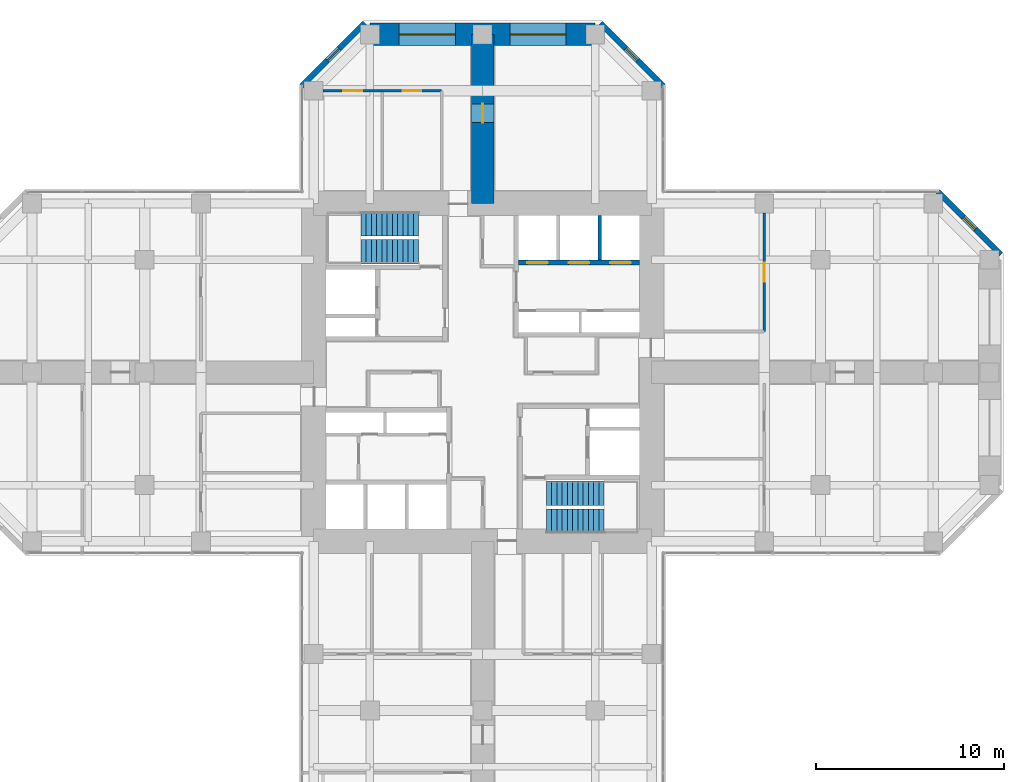
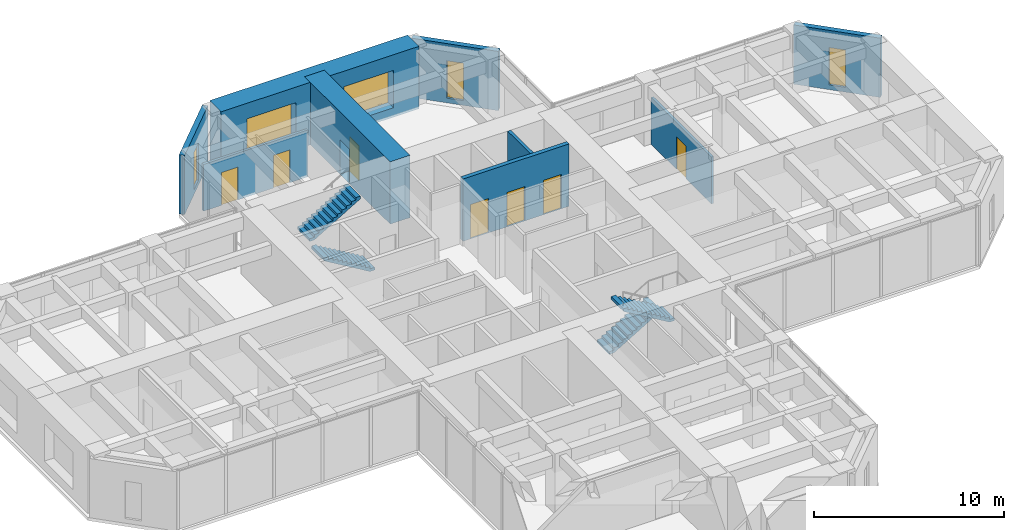
# One storey, part 11 of 12: 9 walls, 7 doors, 5 windows, 4 stair flights, 12 openings, 2 elements without a shape of their own.
"""IFC4 building model written with IfcOpenShell, lengths in metres."""

from ifc_helpers import new_model, si_unit, direction, frame, frame_2d, origin, place, context, subcontext, project, spatial, polyline, rectangle, hollow_rectangle, outline, extrude, material, layer, layer_set, constituent, constituent_set, type_object, element, fill, aggregate, save


model = new_model("IFC4")

# Units and contexts
model_context = context("Model", 3, precision=1e-05, world=origin(), true_north=direction((0.0, 1.0)))
body_context = subcontext(model_context, "Body", "Model", "MODEL_VIEW")
ifc_project = project(units=[si_unit("LENGTHUNIT", "METRE"), si_unit("AREAUNIT", "SQUARE_METRE"), si_unit("VOLUMEUNIT", "CUBIC_METRE"), si_unit("PLANEANGLEUNIT", "RADIAN"), si_unit("MASSUNIT", "GRAM", prefix="KILO")], contexts=[model_context])

# Site, building, storey
site_placement = place(None, origin())
site = spatial("IfcSite", under=ifc_project, at=site_placement, CompositionType="ELEMENT")
building_placement = place(site_placement, origin())
building = spatial("IfcBuilding", under=site, at=building_placement, Name="Torre Cruceta", CompositionType="ELEMENT")
storey_placement = place(building_placement, frame((0.0, 0.0, 140.5)))
storey = spatial("IfcBuildingStorey", under=building, at=storey_placement, Name="L34", CompositionType="ELEMENT", Elevation=140.5)

# Wall, openings, doors
ifc_material_1 = material(Name="Concrete G60 (fck 60 MPa)", Category="concrete")
ifc_layer_1 = layer(ifc_material_1, 0.25)
ifc_layer_set_1 = layer_set([ifc_layer_1], Name="Concrete G60 (fck 60 MPa)")
wall_type_1 = type_object("IfcWallType", Name="CORE INNER WALL 250 G60", PredefinedType="SHEAR", material=ifc_layer_set_1)
wall_1_placement = place(storey_placement, frame((1.925048828125, 5.85009765625, 0.0), z_axis=(0.0, 0.0, 1.0), x_axis=(1.0, 0.0, 0.0)))
wall_1 = element("IfcWall", 1, at=wall_1_placement, inside=storey, type_object=wall_type_1, Name="CW4 L34 NE-LV", PredefinedType="SHEAR", context=body_context, shape_type="SweptSolid", body=[
    extrude(rectangle(XDim=6.425048828125, YDim=0.25, at=frame_2d((3.21240234375, 0.0))), origin(), (0.0, 0.0, 1.0), 4.0),
])
opening_1_placement = place(wall_1_placement, frame((0.4541015625, 0.0, 0.0)))
opening_1 = element("IfcOpeningElement", 2, at=opening_1_placement, cuts=wall_1, Name="Opening LD1", PredefinedType="OPENING", context=body_context, shape_type="SweptSolid", body=[
    extrude(rectangle(XDim=1.10009765625, YDim=2.199951171875, at=frame_2d((0.550048828125, 1.10009765625))), frame((0.0, 0.135009765625, 0.0), z_axis=(0.0, -1.0, 0.0), x_axis=(1.0, 0.0, 0.0)), (0.0, 0.0, 1.0), 0.27001953125),
])
opening_2_placement = place(wall_1_placement, frame((2.66259765625, 0.0, 0.0)))
opening_2 = element("IfcOpeningElement", 3, at=opening_2_placement, cuts=wall_1, Name="Opening LD1", PredefinedType="OPENING", context=body_context, shape_type="SweptSolid", body=[
    extrude(rectangle(XDim=1.10009765625, YDim=2.199951171875, at=frame_2d((0.550048828125, 1.10009765625))), frame((0.0, 0.135009765625, 0.0), z_axis=(0.0, -1.0, 0.0), x_axis=(1.0, 0.0, 0.0)), (0.0, 0.0, 1.0), 0.27001953125),
])
opening_3_placement = place(wall_1_placement, frame((4.870849609375, 0.0, 0.0)))
opening_3 = element("IfcOpeningElement", 4, at=opening_3_placement, cuts=wall_1, Name="Opening LD1", PredefinedType="OPENING", context=body_context, shape_type="SweptSolid", body=[
    extrude(rectangle(XDim=1.10009765625, YDim=2.199951171875, at=frame_2d((0.550048828125, 1.10009765625))), frame((0.0, 0.135009765625, 0.0), z_axis=(0.0, -1.0, 0.0), x_axis=(1.0, 0.0, 0.0)), (0.0, 0.0, 1.0), 0.27001953125),
])
ifc_material_2 = material(Name="Stainless steel 1.4401", Category="steel")
door_type_1 = type_object("IfcDoorType", Name="LIFT LANDING DOOR 1100X2200", OperationType="DOUBLE_DOOR_SLIDING", PredefinedType="DOOR", material=ifc_material_2)
door_1_placement = place(opening_1_placement, origin())
door_1 = element("IfcDoor", 5, at=door_1_placement, inside=storey, type_object=door_type_1, Name="Lift landing door P1", OperationType="DOUBLE_DOOR_SLIDING", OverallHeight=2.199951171875, OverallWidth=1.10009765625, PredefinedType="DOOR", context=body_context, shape_type="SweptSolid", body=[
    extrude(rectangle(XDim=1.10009765625, YDim=2.199951171875, at=frame_2d((0.550048828125, 1.10009765625))), frame((0.0, 0.02490234375, 0.0), z_axis=(0.0, -1.0, 0.0), x_axis=(1.0, 0.0, 0.0)), (0.0, 0.0, 1.0), 0.050048828125),
])
fill(opening_1, door_1)
door_2_placement = place(opening_2_placement, origin())
door_2 = element("IfcDoor", 6, at=door_2_placement, inside=storey, type_object=door_type_1, Name="Lift landing door P2", OperationType="DOUBLE_DOOR_SLIDING", OverallHeight=2.199951171875, OverallWidth=1.10009765625, PredefinedType="DOOR", context=body_context, shape_type="SweptSolid", body=[
    extrude(rectangle(XDim=1.10009765625, YDim=2.199951171875, at=frame_2d((0.550048828125, 1.10009765625))), frame((0.0, 0.02490234375, 0.0), z_axis=(0.0, -1.0, 0.0), x_axis=(1.0, 0.0, 0.0)), (0.0, 0.0, 1.0), 0.050048828125),
])
fill(opening_2, door_2)
door_3_placement = place(opening_3_placement, origin())
door_3 = element("IfcDoor", 7, at=door_3_placement, inside=storey, type_object=door_type_1, Name="Lift landing door P3", OperationType="DOUBLE_DOOR_SLIDING", OverallHeight=2.199951171875, OverallWidth=1.10009765625, PredefinedType="DOOR", context=body_context, shape_type="SweptSolid", body=[
    extrude(rectangle(XDim=1.10009765625, YDim=2.199951171875, at=frame_2d((0.550048828125, 1.10009765625))), frame((0.0, 0.02490234375, 0.0), z_axis=(0.0, -1.0, 0.0), x_axis=(1.0, 0.0, 0.0)), (0.0, 0.0, 1.0), 0.050048828125),
])
fill(opening_3, door_3)

# Wall, opening, window
ifc_material_3 = material(Name="Concrete G30 (fck 30 MPa)", Category="concrete")
ifc_layer_2 = layer(ifc_material_3, 0.300048828125)
ifc_layer_set_2 = layer_set([ifc_layer_2], Name="Concrete G30 (fck 30 MPa)")
wall_type_2 = type_object("IfcWallType", Name="EXPOSED CONCRETE FACADE WALL 300", PredefinedType="SOLIDWALL", material=ifc_layer_set_2)
wall_2_placement = place(storey_placement, frame((27.60009765625, 6.27685546875, 0.0), z_axis=(0.0, 0.0, 1.0), x_axis=(-0.707106781187, 0.707106781187, 0.0)))
wall_2 = element("IfcWall", 8, at=wall_2_placement, inside=storey, type_object=wall_type_2, Name="EW1 facade wall L34 E chamfer 03", PredefinedType="SOLIDWALL", context=body_context, shape_type="SweptSolid", body=[
    extrude(rectangle(XDim=4.72802734375, YDim=0.300048828125, at=frame_2d((2.364013671875, 0.0))), origin(), (0.0, 0.0, 1.0), 3.800048828125),
])
opening_4_placement = place(wall_2_placement, frame((1.9140625, 0.0, 0.300048828125)))
opening_4 = element("IfcOpeningElement", 9, at=opening_4_placement, cuts=wall_2, Name="Opening WN5", PredefinedType="OPENING", context=body_context, shape_type="SweptSolid", body=[
    extrude(rectangle(XDim=0.89990234375, YDim=2.39990234375, at=frame_2d((0.449951171875, 1.199951171875))), frame((0.0, 0.159912109375, 0.0), z_axis=(0.0, -1.0, 0.0), x_axis=(1.0, 0.0, 0.0)), (0.0, 0.0, 1.0), 0.320068359375),
])
ifc_material_4 = material(Name="Aluminium window frame", Category="aluminium")
ifc_constituent_1 = constituent(ifc_material_4, Name="Frame")
ifc_material_5 = material(Name="Laminated insulating glass unit, low-iron clear", Category="glass")
ifc_constituent_2 = constituent(ifc_material_5, Name="Glazing")
ifc_constituent_set_1 = constituent_set(constituents=[ifc_constituent_1, ifc_constituent_2], Name="Aluminium window")
window_type_1 = type_object("IfcWindowType", Name="CHAMFER SLOT WINDOW 900X2400", PartitioningType="SINGLE_PANEL", PredefinedType="WINDOW", material=ifc_constituent_set_1)
window_1_placement = place(opening_4_placement, origin())
window_1 = element("IfcWindow", 10, at=window_1_placement, inside=storey, type_object=window_type_1, Name="WN5 L34 E 1", OverallHeight=2.39990234375, OverallWidth=0.89990234375, PartitioningType="SINGLE_PANEL", PredefinedType="WINDOW", context=body_context, shape_type="SweptSolid", body=[
    extrude(hollow_rectangle(XDim=0.89990234375, YDim=2.39990234375, WallThickness=0.06005859375, at=frame_2d((0.449951171875, 1.199951171875))), frame((0.0, 0.030029296875, 0.0), z_axis=(0.0, -1.0, 0.0), x_axis=(1.0, 0.0, 0.0)), (0.0, 0.0, 1.0), 0.06005859375),
    extrude(rectangle(XDim=0.77880859375, YDim=2.27880859375, at=frame_2d((0.449951171875, 1.199951171875))), frame((0.0, 0.030029296875, 0.0), z_axis=(0.0, -1.0, 0.0), x_axis=(1.0, 0.0, 0.0)), (0.0, 0.0, 1.0), 0.06005859375),
])
fill(opening_4, window_1)

wall_3_placement = place(storey_placement, frame((9.6201171875, 15.2568359375, 0.0), z_axis=(0.0, 0.0, 1.0), x_axis=(-0.707106781187, 0.707106781187, 0.0)))
wall_3 = element("IfcWall", 11, at=wall_3_placement, inside=storey, type_object=wall_type_2, Name="EW1 facade wall L34 N chamfer 06", PredefinedType="SOLIDWALL", context=body_context, shape_type="SweptSolid", body=[
    extrude(rectangle(XDim=4.72802734375, YDim=0.300048828125, at=frame_2d((2.364013671875, 0.0))), origin(), (0.0, 0.0, 1.0), 3.800048828125),
])
opening_5_placement = place(wall_3_placement, frame((1.9140625, 0.0, 0.300048828125)))
opening_5 = element("IfcOpeningElement", 12, at=opening_5_placement, cuts=wall_3, Name="Opening WN5", PredefinedType="OPENING", context=body_context, shape_type="SweptSolid", body=[
    extrude(rectangle(XDim=0.89990234375, YDim=2.39990234375, at=frame_2d((0.449951171875, 1.199951171875))), frame((0.0, 0.159912109375, 0.0), z_axis=(0.0, -1.0, 0.0), x_axis=(1.0, 0.0, 0.0)), (0.0, 0.0, 1.0), 0.320068359375),
])
window_2_placement = place(opening_5_placement, origin())
window_2 = element("IfcWindow", 13, at=window_2_placement, inside=storey, type_object=window_type_1, Name="WN5 L34 N 1", OverallHeight=2.39990234375, OverallWidth=0.89990234375, PartitioningType="SINGLE_PANEL", PredefinedType="WINDOW", context=body_context, shape_type="SweptSolid", body=[
    extrude(hollow_rectangle(XDim=0.89990234375, YDim=2.39990234375, WallThickness=0.06005859375, at=frame_2d((0.449951171875, 1.199951171875))), frame((0.0, 0.030029296875, 0.0), z_axis=(0.0, -1.0, 0.0), x_axis=(1.0, 0.0, 0.0)), (0.0, 0.0, 1.0), 0.06005859375),
    extrude(rectangle(XDim=0.77880859375, YDim=2.27880859375, at=frame_2d((0.449951171875, 1.199951171875))), frame((0.0, 0.030029296875, 0.0), z_axis=(0.0, -1.0, 0.0), x_axis=(1.0, 0.0, 0.0)), (0.0, 0.0, 1.0), 0.06005859375),
])
fill(opening_5, window_2)

wall_4_placement = place(storey_placement, frame((-6.27685546875, 18.60009765625, 0.0), z_axis=(0.0, 0.0, 1.0), x_axis=(-0.707106781187, -0.707106781187, 0.0)))
wall_4 = element("IfcWall", 14, at=wall_4_placement, inside=storey, type_object=wall_type_2, Name="EW1 facade wall L34 N chamfer 08", PredefinedType="SOLIDWALL", context=body_context, shape_type="SweptSolid", body=[
    extrude(rectangle(XDim=4.72802734375, YDim=0.300048828125, at=frame_2d((2.364013671875, 0.0))), origin(), (0.0, 0.0, 1.0), 3.800048828125),
])
opening_6_placement = place(wall_4_placement, frame((1.9140625, 0.0, 0.300048828125)))
opening_6 = element("IfcOpeningElement", 15, at=opening_6_placement, cuts=wall_4, Name="Opening WN5", PredefinedType="OPENING", context=body_context, shape_type="SweptSolid", body=[
    extrude(rectangle(XDim=0.89990234375, YDim=2.39990234375, at=frame_2d((0.449951171875, 1.199951171875))), frame((0.0, 0.159912109375, 0.0), z_axis=(0.0, -1.0, 0.0), x_axis=(1.0, 0.0, 0.0)), (0.0, 0.0, 1.0), 0.320068359375),
])
window_3_placement = place(opening_6_placement, origin())
window_3 = element("IfcWindow", 16, at=window_3_placement, inside=storey, type_object=window_type_1, Name="WN5 L34 N 1", OverallHeight=2.39990234375, OverallWidth=0.89990234375, PartitioningType="SINGLE_PANEL", PredefinedType="WINDOW", context=body_context, shape_type="SweptSolid", body=[
    extrude(hollow_rectangle(XDim=0.89990234375, YDim=2.39990234375, WallThickness=0.06005859375, at=frame_2d((0.449951171875, 1.199951171875))), frame((0.0, 0.030029296875, 0.0), z_axis=(0.0, -1.0, 0.0), x_axis=(1.0, 0.0, 0.0)), (0.0, 0.0, 1.0), 0.06005859375),
    extrude(rectangle(XDim=0.77880859375, YDim=2.27880859375, at=frame_2d((0.449951171875, 1.199951171875))), frame((0.0, 0.030029296875, 0.0), z_axis=(0.0, -1.0, 0.0), x_axis=(1.0, 0.0, 0.0)), (0.0, 0.0, 1.0), 0.06005859375),
])
fill(opening_6, window_3)

# Wall
ifc_material_6 = material(Name="Concrete G35 (fck 35 MPa)", Category="concrete")
ifc_layer_3 = layer(ifc_material_6, 0.199951171875)
ifc_layer_set_3 = layer_set([ifc_layer_3], Name="Concrete G35 (fck 35 MPa)")
wall_type_3 = type_object("IfcWallType", Name="LIFT SHAFT WALL 200", PredefinedType="PARTITIONING", material=ifc_layer_set_3)
wall_5_placement = place(storey_placement, frame((6.24169921875, 5.97509765625, 0.0), z_axis=(0.0, 0.0, 1.0), x_axis=(0.0, 1.0, 0.0)))
element("IfcWall", 17, at=wall_5_placement, inside=storey, type_object=wall_type_3, Name="SW1 L34 NE-LS2", PredefinedType="PARTITIONING", context=body_context, shape_type="SweptSolid", body=[
    extrude(rectangle(XDim=2.375, YDim=0.199951171875, at=frame_2d((1.1875, 0.0))), origin(), (0.0, 0.0, 1.0), 4.0),
])

# Wall, openings, windows
ifc_material_7 = material(Name="Concrete G60 (fck 60 MPa)", Category="concrete")
ifc_layer_4 = layer(ifc_material_7, 1.199951171875)
ifc_layer_set_4 = layer_set([ifc_layer_4], Name="Concrete G60 (fck 60 MPa)")
wall_type_4 = type_object("IfcWallType", Name="NOSE WALL 1200 G60", PredefinedType="SHEAR", material=ifc_layer_set_4)
wall_6_placement = place(storey_placement, frame((6.0, 18.0, 0.0), z_axis=(0.0, 0.0, 1.0), x_axis=(-1.0, 0.0, 0.0)))
wall_6 = element("IfcWall", 18, at=wall_6_placement, inside=storey, type_object=wall_type_4, Name="NW1 nose wall L34 N", PredefinedType="SHEAR", context=body_context, shape_type="SweptSolid", body=[
    extrude(rectangle(XDim=12.0, YDim=1.199951171875, at=frame_2d((6.0, 0.0))), origin(), (0.0, 0.0, 1.0), 4.0),
])
opening_7_placement = place(wall_6_placement, frame((1.550048828125, 0.0, 0.60009765625)))
opening_7 = element("IfcOpeningElement", 19, at=opening_7_placement, cuts=wall_6, Name="Opening WN6", PredefinedType="OPENING", context=body_context, shape_type="SweptSolid", body=[
    extrude(rectangle(XDim=3.0, YDim=2.39990234375, at=frame_2d((1.5, 1.199951171875))), frame((0.0, 0.60986328125, 0.0), z_axis=(0.0, -1.0, 0.0), x_axis=(1.0, 0.0, 0.0)), (0.0, 0.0, 1.0), 1.219970703125),
])
opening_8_placement = place(wall_6_placement, frame((7.449951171875, 0.0, 0.60009765625)))
opening_8 = element("IfcOpeningElement", 20, at=opening_8_placement, cuts=wall_6, Name="Opening WN6", PredefinedType="OPENING", context=body_context, shape_type="SweptSolid", body=[
    extrude(rectangle(XDim=3.0, YDim=2.39990234375, at=frame_2d((1.5, 1.199951171875))), frame((0.0, 0.60986328125, 0.0), z_axis=(0.0, -1.0, 0.0), x_axis=(1.0, 0.0, 0.0)), (0.0, 0.0, 1.0), 1.219970703125),
])
ifc_material_8 = material(Name="Aluminium window frame", Category="aluminium")
ifc_constituent_3 = constituent(ifc_material_8, Name="Frame")
ifc_material_9 = material(Name="Laminated insulating glass unit, low-iron clear", Category="glass")
ifc_constituent_4 = constituent(ifc_material_9, Name="Glazing")
ifc_constituent_set_2 = constituent_set(constituents=[ifc_constituent_3, ifc_constituent_4], Name="Aluminium window")
window_type_2 = type_object("IfcWindowType", Name="NOSE WALL WINDOW 3000X2400", PartitioningType="SINGLE_PANEL", PredefinedType="WINDOW", material=ifc_constituent_set_2)
window_4_placement = place(opening_7_placement, origin())
window_4 = element("IfcWindow", 21, at=window_4_placement, inside=storey, type_object=window_type_2, Name="WN6 L34 N 1", OverallHeight=2.39990234375, OverallWidth=3.0, PartitioningType="SINGLE_PANEL", PredefinedType="WINDOW", context=body_context, shape_type="SweptSolid", body=[
    extrude(hollow_rectangle(XDim=3.0, YDim=2.39990234375, WallThickness=0.06005859375, at=frame_2d((1.5, 1.199951171875))), frame((0.0, 0.030029296875, 0.0), z_axis=(0.0, -1.0, 0.0), x_axis=(1.0, 0.0, 0.0)), (0.0, 0.0, 1.0), 0.06005859375),
    extrude(rectangle(XDim=2.87890625, YDim=2.27880859375, at=frame_2d((1.5, 1.199951171875))), frame((0.0, 0.030029296875, 0.0), z_axis=(0.0, -1.0, 0.0), x_axis=(1.0, 0.0, 0.0)), (0.0, 0.0, 1.0), 0.06005859375),
])
fill(opening_7, window_4)
window_5_placement = place(opening_8_placement, origin())
window_5 = element("IfcWindow", 22, at=window_5_placement, inside=storey, type_object=window_type_2, Name="WN6 L34 N 2", OverallHeight=2.39990234375, OverallWidth=3.0, PartitioningType="SINGLE_PANEL", PredefinedType="WINDOW", context=body_context, shape_type="SweptSolid", body=[
    extrude(hollow_rectangle(XDim=3.0, YDim=2.39990234375, WallThickness=0.06005859375, at=frame_2d((1.5, 1.199951171875))), frame((0.0, 0.030029296875, 0.0), z_axis=(0.0, -1.0, 0.0), x_axis=(1.0, 0.0, 0.0)), (0.0, 0.0, 1.0), 0.06005859375),
    extrude(rectangle(XDim=2.87890625, YDim=2.27880859375, at=frame_2d((1.5, 1.199951171875))), frame((0.0, 0.030029296875, 0.0), z_axis=(0.0, -1.0, 0.0), x_axis=(1.0, 0.0, 0.0)), (0.0, 0.0, 1.0), 0.06005859375),
])
fill(opening_8, window_5)

# Wall, openings, doors
ifc_material_10 = material(Name="Plasterboard on steel studs", Category="steel")
ifc_layer_5 = layer(ifc_material_10, 0.14990234375)
ifc_layer_set_5 = layer_set([ifc_layer_5], Name="Plasterboard on steel studs")
wall_type_5 = type_object("IfcWallType", Name="PARTITION 150", PredefinedType="PARTITIONING", material=ifc_layer_set_5)
wall_7_placement = place(storey_placement, frame((-2.175048828125, 15.0, 0.0), z_axis=(0.0, 0.0, 1.0), x_axis=(-1.0, 0.0, 0.0)))
wall_7 = element("IfcWall", 23, at=wall_7_placement, inside=storey, type_object=wall_type_5, Name="PT1 L34-N-BFL", PredefinedType="PARTITIONING", context=body_context, shape_type="SweptSolid", body=[
    extrude(rectangle(XDim=6.324951171875, YDim=0.14990234375, at=frame_2d((3.16259765625, 0.0))), origin(), (0.0, 0.0, 1.0), 3.0),
])
opening_9_placement = place(wall_7_placement, frame((1.081298828125, 0.0, 0.0)))
opening_9 = element("IfcOpeningElement", 24, at=opening_9_placement, cuts=wall_7, Name="Opening D3", PredefinedType="OPENING", context=body_context, shape_type="SweptSolid", body=[
    extrude(rectangle(XDim=1.0, YDim=2.10009765625, at=frame_2d((0.5, 1.050048828125))), frame((0.0, 0.0849609375, 0.0), z_axis=(0.0, -1.0, 0.0), x_axis=(1.0, 0.0, 0.0)), (0.0, 0.0, 1.0), 0.169921875),
])
opening_10_placement = place(wall_7_placement, frame((4.243896484375, 0.0, 0.0)))
opening_10 = element("IfcOpeningElement", 25, at=opening_10_placement, cuts=wall_7, Name="Opening D3", PredefinedType="OPENING", context=body_context, shape_type="SweptSolid", body=[
    extrude(rectangle(XDim=1.0, YDim=2.10009765625, at=frame_2d((0.5, 1.050048828125))), frame((0.0, 0.0849609375, 0.0), z_axis=(0.0, -1.0, 0.0), x_axis=(1.0, 0.0, 0.0)), (0.0, 0.0, 1.0), 0.169921875),
])
ifc_material_11 = material(Name="Steel DX51D", Category="steel")
ifc_constituent_5 = constituent(ifc_material_11, Name="Leaf and frame")
ifc_material_12 = material(Name="Polyester powder coating", Category="paint")
ifc_constituent_6 = constituent(ifc_material_12, Name="Finish")
ifc_constituent_set_3 = constituent_set(constituents=[ifc_constituent_5, ifc_constituent_6], Name="Steel fire door")
door_type_2 = type_object("IfcDoorType", Name="FIRE DOOR 1000X2100", OperationType="SINGLE_SWING_LEFT", PredefinedType="DOOR", material=ifc_constituent_set_3)
door_4_placement = place(opening_9_placement, origin())
door_4 = element("IfcDoor", 26, at=door_4_placement, inside=storey, type_object=door_type_2, Name="D3 L34-N-BFL-D1", OperationType="SINGLE_SWING_LEFT", OverallHeight=2.10009765625, OverallWidth=1.0, PredefinedType="DOOR", context=body_context, shape_type="SweptSolid", body=[
    extrude(rectangle(XDim=1.0, YDim=2.10009765625, at=frame_2d((0.5, 1.050048828125))), frame((0.0, 0.02490234375, 0.0), z_axis=(0.0, -1.0, 0.0), x_axis=(1.0, 0.0, 0.0)), (0.0, 0.0, 1.0), 0.050048828125),
])
fill(opening_9, door_4)
door_5_placement = place(opening_10_placement, origin())
door_5 = element("IfcDoor", 27, at=door_5_placement, inside=storey, type_object=door_type_2, Name="D3 L34-N-BFL-D2", OperationType="SINGLE_SWING_LEFT", OverallHeight=2.10009765625, OverallWidth=1.0, PredefinedType="DOOR", context=body_context, shape_type="SweptSolid", body=[
    extrude(rectangle(XDim=1.0, YDim=2.10009765625, at=frame_2d((0.5, 1.050048828125))), frame((0.0, 0.02490234375, 0.0), z_axis=(0.0, -1.0, 0.0), x_axis=(1.0, 0.0, 0.0)), (0.0, 0.0, 1.0), 0.050048828125),
])
fill(opening_10, door_5)

# Wall, opening, door
wall_8_placement = place(storey_placement, frame((15.0, 2.175048828125, 0.0), z_axis=(0.0, 0.0, 1.0), x_axis=(0.0, 1.0, 0.0)))
wall_8 = element("IfcWall", 28, at=wall_8_placement, inside=storey, type_object=wall_type_5, Name="PT1 L34-E-BFL", PredefinedType="PARTITIONING", context=body_context, shape_type="SweptSolid", body=[
    extrude(rectangle(XDim=6.324951171875, YDim=0.14990234375, at=frame_2d((3.16259765625, 0.0))), origin(), (0.0, 0.0, 1.0), 3.0),
])
opening_11_placement = place(wall_8_placement, frame((2.66259765625, 0.0, 0.0)))
opening_11 = element("IfcOpeningElement", 29, at=opening_11_placement, cuts=wall_8, Name="Opening D3", PredefinedType="OPENING", context=body_context, shape_type="SweptSolid", body=[
    extrude(rectangle(XDim=1.0, YDim=2.10009765625, at=frame_2d((0.5, 1.050048828125))), frame((0.0, 0.0849609375, 0.0), z_axis=(0.0, -1.0, 0.0), x_axis=(1.0, 0.0, 0.0)), (0.0, 0.0, 1.0), 0.169921875),
])
door_6_placement = place(opening_11_placement, origin())
door_6 = element("IfcDoor", 30, at=door_6_placement, inside=storey, type_object=door_type_2, Name="D3 L34-E-BFL-D1", OperationType="SINGLE_SWING_LEFT", OverallHeight=2.10009765625, OverallWidth=1.0, PredefinedType="DOOR", context=body_context, shape_type="SweptSolid", body=[
    extrude(rectangle(XDim=1.0, YDim=2.10009765625, at=frame_2d((0.5, 1.050048828125))), frame((0.0, 0.02490234375, 0.0), z_axis=(0.0, -1.0, 0.0), x_axis=(1.0, 0.0, 0.0)), (0.0, 0.0, 1.0), 0.050048828125),
])
fill(opening_11, door_6)

ifc_material_13 = material(Name="Concrete G60 (fck 60 MPa)", Category="concrete")
ifc_layer_6 = layer(ifc_material_13, 1.199951171875)
ifc_layer_set_6 = layer_set([ifc_layer_6], Name="Concrete G60 (fck 60 MPa)")
wall_type_6 = type_object("IfcWallType", Name="SPINE WALL 1200 G60", PredefinedType="SHEAR", material=ifc_layer_set_6)
wall_9_placement = place(storey_placement, frame((0.0, 9.0, 0.0), z_axis=(0.0, 0.0, 1.0), x_axis=(0.0, 1.0, 0.0)))
wall_9 = element("IfcWall", 31, at=wall_9_placement, inside=storey, type_object=wall_type_6, Name="SW3 spine wall L34 N", PredefinedType="SHEAR", context=body_context, shape_type="SweptSolid", body=[
    extrude(rectangle(XDim=9.0, YDim=1.199951171875, at=frame_2d((4.5, 0.0))), origin(), (0.0, 0.0, 1.0), 4.0),
])
opening_12_placement = place(wall_9_placement, frame((4.300048828125, 0.0, 0.0)))
opening_12 = element("IfcOpeningElement", 32, at=opening_12_placement, cuts=wall_9, Name="Opening D14", PredefinedType="OPENING", context=body_context, shape_type="SweptSolid", body=[
    extrude(rectangle(XDim=1.0, YDim=2.199951171875, at=frame_2d((0.5, 1.10009765625))), frame((0.0, 0.60986328125, 0.0), z_axis=(0.0, -1.0, 0.0), x_axis=(1.0, 0.0, 0.0)), (0.0, 0.0, 1.0), 1.219970703125),
])
ifc_material_14 = material(Name="Steel DX51D", Category="steel")
ifc_constituent_7 = constituent(ifc_material_14, Name="Leaf and frame")
ifc_material_15 = material(Name="Polyester powder coating", Category="paint")
ifc_constituent_8 = constituent(ifc_material_15, Name="Finish")
ifc_material_16 = material(Name="Fire-resisting glass", Category="glass")
ifc_constituent_9 = constituent(ifc_material_16, Name="Vision panel")
ifc_constituent_set_4 = constituent_set(constituents=[ifc_constituent_7, ifc_constituent_8, ifc_constituent_9], Name="Steel fire door with vision panel")
door_type_3 = type_object("IfcDoorType", Name="FIRE DOOR VISION PANEL 1000X2200", OperationType="SINGLE_SWING_RIGHT", PredefinedType="DOOR", material=ifc_constituent_set_4)
door_7_placement = place(opening_12_placement, origin())
door_7 = element("IfcDoor", 33, at=door_7_placement, inside=storey, type_object=door_type_3, Name="D14 L34-N-SP1", OperationType="SINGLE_SWING_RIGHT", OverallHeight=2.199951171875, OverallWidth=1.0, PredefinedType="DOOR", context=body_context, shape_type="SweptSolid", body=[
    extrude(rectangle(XDim=1.0, YDim=2.199951171875, at=frame_2d((0.5, 1.10009765625))), frame((0.0, 0.02490234375, 0.0), z_axis=(0.0, -1.0, 0.0), x_axis=(1.0, 0.0, 0.0)), (0.0, 0.0, 1.0), 0.050048828125),
])
fill(opening_12, door_7)

# Stair, stair flights
ifc_material_17 = material(Name="Concrete G30 (fck 30 MPa)", Category="concrete")
stair_type = type_object("IfcStairType", Name="STAIR HALF-TURN 1300", PredefinedType="HALF_TURN_STAIR", material=ifc_material_17)
stair_1_placement = place(storey_placement, origin())
stair_1 = element("IfcStair", 34, at=stair_1_placement, inside=storey, type_object=stair_type, Name="Stair ST1 L34", PredefinedType="HALF_TURN_STAIR")
ifc_material_18 = material(Name="Concrete G30 (fck 30 MPa)", Category="concrete")
stair_flight_type = type_object("IfcStairFlightType", Name="STAIR FLIGHT 1300", PredefinedType="STRAIGHT", material=ifc_material_18)
stair_flight_1_placement = place(storey_placement, frame((-3.39990234375, 6.425048828125, 0.0), z_axis=(0.0, 0.0, 1.0), x_axis=(-1.0, 0.0, 0.0)))
stair_flight_1 = element("IfcStairFlight", 35, at=stair_flight_1_placement, type_object=stair_flight_type, Name="ST1 flight 1", NumberOfRisers=12, NumberOfTreads=11, PredefinedType="STRAIGHT", RiserHeight=0.166666667, TreadLength=0.28, context=body_context, shape_type="SweptSolid", body=[
    extrude(outline(polyline([(0.0, 0.0), (0.0, 0.166748046875), (0.280029296875, 0.166748046875), (0.280029296875, 0.333251953125), (0.56005859375, 0.333251953125), (0.56005859375, 0.5), (0.840087890625, 0.5), (0.840087890625, 0.666748046875), (1.1201171875, 0.666748046875), (1.1201171875, 0.833251953125), (1.39990234375, 0.833251953125), (1.39990234375, 1.0), (1.679931640625, 1.0), (1.679931640625, 1.166748046875), (1.9599609375, 1.166748046875), (1.9599609375, 1.333251953125), (2.239990234375, 1.333251953125), (2.239990234375, 1.5), (2.52001953125, 1.5), (2.52001953125, 1.666748046875), (2.800048828125, 1.666748046875), (2.800048828125, 1.833251953125), (3.080078125, 1.833251953125), (3.080078125, 2.0), (3.080078125, 1.658935546875), (0.29296875, 0.0), (0.0, 0.0)])), frame((0.0, 0.64990234375, 0.0), z_axis=(0.0, -1.0, 0.0), x_axis=(1.0, 0.0, 0.0)), (0.0, 0.0, 1.0), 1.300048828125),
])
stair_flight_2_placement = place(storey_placement, frame((-6.47998046875, 7.925048828125, 2.0), z_axis=(0.0, 0.0, 1.0), x_axis=(1.0, 0.0, 0.0)))
stair_flight_2 = element("IfcStairFlight", 36, at=stair_flight_2_placement, type_object=stair_flight_type, Name="ST1 flight 2", NumberOfRisers=12, NumberOfTreads=11, PredefinedType="STRAIGHT", RiserHeight=0.166666667, TreadLength=0.28, context=body_context, shape_type="SweptSolid", body=[
    extrude(outline(polyline([(0.0, 0.0), (0.0, 0.166748046875), (0.280029296875, 0.166748046875), (0.280029296875, 0.333251953125), (0.56005859375, 0.333251953125), (0.56005859375, 0.5), (0.840087890625, 0.5), (0.840087890625, 0.666748046875), (1.1201171875, 0.666748046875), (1.1201171875, 0.833251953125), (1.39990234375, 0.833251953125), (1.39990234375, 1.0), (1.679931640625, 1.0), (1.679931640625, 1.166748046875), (1.9599609375, 1.166748046875), (1.9599609375, 1.333251953125), (2.239990234375, 1.333251953125), (2.239990234375, 1.5), (2.52001953125, 1.5), (2.52001953125, 1.666748046875), (2.800048828125, 1.666748046875), (2.800048828125, 1.833251953125), (3.080078125, 1.833251953125), (3.080078125, 2.0), (3.080078125, 1.658935546875), (0.29296875, 0.0), (0.0, 0.0)])), frame((0.0, 0.64990234375, 0.0), z_axis=(0.0, -1.0, 0.0), x_axis=(1.0, 0.0, 0.0)), (0.0, 0.0, 1.0), 1.300048828125),
])
aggregate(stair_1, [stair_flight_1, stair_flight_2])

stair_2_placement = place(storey_placement, origin())
stair_2 = element("IfcStair", 37, at=stair_2_placement, inside=storey, type_object=stair_type, Name="Stair ST2 L34", PredefinedType="HALF_TURN_STAIR")
stair_flight_3_placement = place(storey_placement, frame((3.39990234375, -6.425048828125, 0.0), z_axis=(0.0, 0.0, 1.0), x_axis=(1.0, 0.0, 0.0)))
stair_flight_3 = element("IfcStairFlight", 38, at=stair_flight_3_placement, type_object=stair_flight_type, Name="ST2 flight 1", NumberOfRisers=12, NumberOfTreads=11, PredefinedType="STRAIGHT", RiserHeight=0.166666667, TreadLength=0.28, context=body_context, shape_type="SweptSolid", body=[
    extrude(outline(polyline([(0.0, 0.0), (0.0, 0.166748046875), (0.280029296875, 0.166748046875), (0.280029296875, 0.333251953125), (0.56005859375, 0.333251953125), (0.56005859375, 0.5), (0.840087890625, 0.5), (0.840087890625, 0.666748046875), (1.1201171875, 0.666748046875), (1.1201171875, 0.833251953125), (1.39990234375, 0.833251953125), (1.39990234375, 1.0), (1.679931640625, 1.0), (1.679931640625, 1.166748046875), (1.9599609375, 1.166748046875), (1.9599609375, 1.333251953125), (2.239990234375, 1.333251953125), (2.239990234375, 1.5), (2.52001953125, 1.5), (2.52001953125, 1.666748046875), (2.800048828125, 1.666748046875), (2.800048828125, 1.833251953125), (3.080078125, 1.833251953125), (3.080078125, 2.0), (3.080078125, 1.658935546875), (0.29296875, 0.0), (0.0, 0.0)])), frame((0.0, 0.64990234375, 0.0), z_axis=(0.0, -1.0, 0.0), x_axis=(1.0, 0.0, 0.0)), (0.0, 0.0, 1.0), 1.300048828125),
])
stair_flight_4_placement = place(storey_placement, frame((6.47998046875, -7.925048828125, 2.0), z_axis=(0.0, 0.0, 1.0), x_axis=(-1.0, 0.0, 0.0)))
stair_flight_4 = element("IfcStairFlight", 39, at=stair_flight_4_placement, type_object=stair_flight_type, Name="ST2 flight 2", NumberOfRisers=12, NumberOfTreads=11, PredefinedType="STRAIGHT", RiserHeight=0.166666667, TreadLength=0.28, context=body_context, shape_type="SweptSolid", body=[
    extrude(outline(polyline([(0.0, 0.0), (0.0, 0.166748046875), (0.280029296875, 0.166748046875), (0.280029296875, 0.333251953125), (0.56005859375, 0.333251953125), (0.56005859375, 0.5), (0.840087890625, 0.5), (0.840087890625, 0.666748046875), (1.1201171875, 0.666748046875), (1.1201171875, 0.833251953125), (1.39990234375, 0.833251953125), (1.39990234375, 1.0), (1.679931640625, 1.0), (1.679931640625, 1.166748046875), (1.9599609375, 1.166748046875), (1.9599609375, 1.333251953125), (2.239990234375, 1.333251953125), (2.239990234375, 1.5), (2.52001953125, 1.5), (2.52001953125, 1.666748046875), (2.800048828125, 1.666748046875), (2.800048828125, 1.833251953125), (3.080078125, 1.833251953125), (3.080078125, 2.0), (3.080078125, 1.658935546875), (0.29296875, 0.0), (0.0, 0.0)])), frame((0.0, 0.64990234375, 0.0), z_axis=(0.0, -1.0, 0.0), x_axis=(1.0, 0.0, 0.0)), (0.0, 0.0, 1.0), 1.300048828125),
])
aggregate(stair_2, [stair_flight_3, stair_flight_4])

save(model, "model.ifc")
